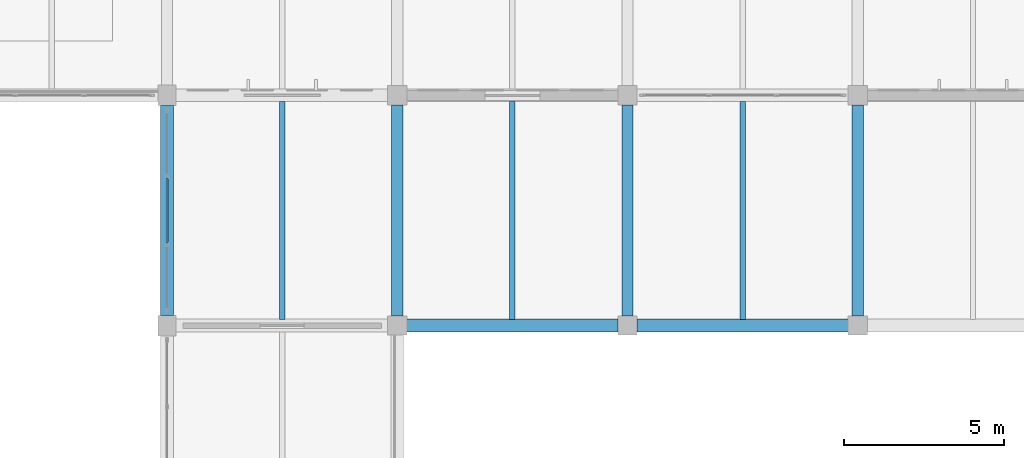
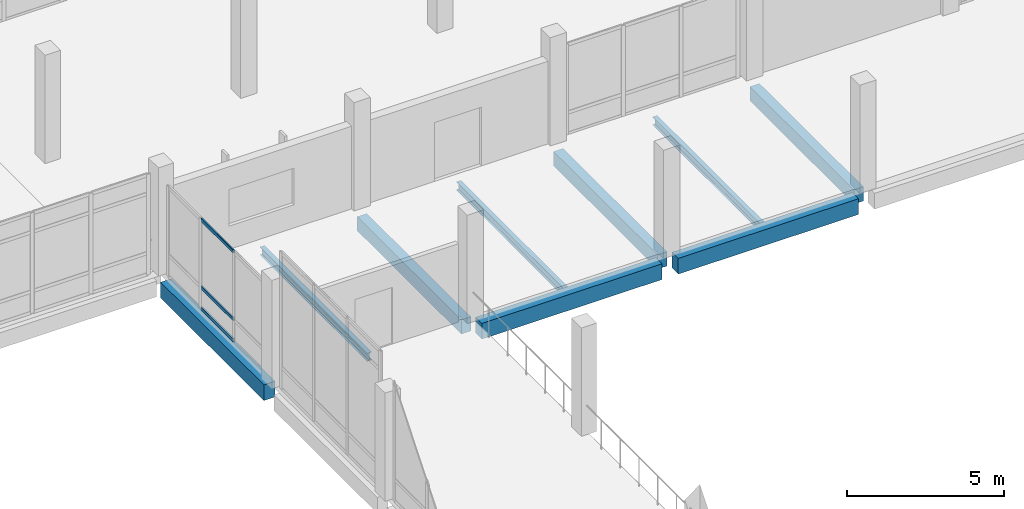
# One storey, part 99 of 158: 9 beams, 3 members, 1 element without a shape of its own.
"""IFC4 building model written with IfcOpenShell, lengths in metres."""

from ifc_helpers import new_model, si_unit, direction, frame, origin, origin_2d, place, context, subcontext, project, spatial, rectangle, hollow_rectangle, i_section, extrude, material, material_profile, profile_set, type_object, element, aggregate, save


model = new_model("IFC4")

# Units and contexts
model_context = context("Model", 3, precision=1e-05, world=origin(), true_north=direction((0.0, 1.0)))
body_context = subcontext(model_context, "Body", "Model", "MODEL_VIEW")
ifc_project = project(units=[si_unit("LENGTHUNIT", "METRE"), si_unit("AREAUNIT", "SQUARE_METRE"), si_unit("VOLUMEUNIT", "CUBIC_METRE"), si_unit("PLANEANGLEUNIT", "RADIAN"), si_unit("MASSUNIT", "GRAM", prefix="KILO")], contexts=[model_context])

# Site, building, storey
site_placement = place(None, origin())
site = spatial("IfcSite", under=ifc_project, at=site_placement, CompositionType="ELEMENT")
building_placement = place(site_placement, origin())
building = spatial("IfcBuilding", under=site, at=building_placement, Name="Lusvemor Sports Hall", CompositionType="ELEMENT")
storey_placement = place(building_placement, frame((0.0, 0.0, 10.800048828125)))
storey = spatial("IfcBuildingStorey", under=building, at=storey_placement, Name="L02", CompositionType="ELEMENT", Elevation=10.800048828125)

# Beams
ifc_material_1 = material(Name="Concrete C40/50", Category="concrete")
ifc_material_profile_1 = material_profile(ifc_material_1, rectangle(XDim=0.35009765625, YDim=0.550048828125, at=origin_2d()), Name="RC350x550")
ifc_profile_set_1 = profile_set([ifc_material_profile_1], Name="Concrete C40/50")
beam_type_1 = type_object("IfcBeamType", Name="BEAM_RC_550", PredefinedType="BEAM", material=ifc_profile_set_1)
for number, where, z_axis, x_axis, name in (
    (1, (140.39990234375, 75.89599609375, -0.53515625), (0.0, 1.0, 0.0), (-1.0, 0.0, 0.0), "Beam L02 16:K-L"),
    (2, (147.60009765625, 75.89599609375, -0.53515625), (0.0, 1.0, 0.0), (-1.0, 0.0, 0.0), "Beam L02 17:K-L"),
    (3, (154.800048828125, 75.89599609375, -0.53515625), (0.0, 1.0, 0.0), (-1.0, 0.0, 0.0), "Beam L02 18:K-L"),
):
    element("IfcBeam", number, at=place(storey_placement, frame(where, z_axis=z_axis, x_axis=x_axis)), inside=storey, type_object=beam_type_1, Name=name, PredefinedType="BEAM", context=body_context, shape_type="SweptSolid", body=[
        extrude(rectangle(XDim=0.35009765625, YDim=0.550048828125, at=origin_2d()), origin(), (0.0, 0.0, 1.0), 6.60791015625),
    ])

# Curtain wall, members
ifc_material_2 = material(Name="Thermally broken bronze-anodized aluminium", Category="aluminium")
curtain_wall_type = type_object("IfcCurtainWallType", Name="CW_PASSAGE_E", PredefinedType="NOTDEFINED", material=ifc_material_2)
curtain_wall_placement = place(storey_placement, origin())
curtain_wall = element("IfcCurtainWall", 4, at=curtain_wall_placement, inside=storey, type_object=curtain_wall_type, Name="Curtain Wall CW-NLINK-133-L02", PredefinedType="NOTDEFINED")
ifc_material_3 = material(Name="Thermally broken bronze-anodized aluminium", Category="aluminium")
ifc_material_profile_2 = material_profile(ifc_material_3, hollow_rectangle(XDim=0.06005859375, YDim=0.135009765625, WallThickness=0.00390625, InnerFilletRadius=0.00390625, OuterFilletRadius=0.008056640625, at=origin_2d()), Name="CWTRN135x60x4")
ifc_profile_set_2 = profile_set([ifc_material_profile_2], Name="Thermally broken bronze-anodized aluminium")
member_type = type_object("IfcMemberType", Name="CW_TRN_B", PredefinedType="USERDEFINED", material=ifc_profile_set_2)
member_1_placement = place(storey_placement, frame((133.199951171875, 78.17919921875, 0.030029296875), z_axis=(0.0, 1.0, 0.0), x_axis=(-1.0, 0.0, 0.0)))
member_1 = element("IfcMember", 5, at=member_1_placement, type_object=member_type, Name="CW05 transom 2.1", ObjectType="TRANSOM", PredefinedType="USERDEFINED", context=body_context, shape_type="SweptSolid", body=[
    extrude(hollow_rectangle(XDim=0.06005859375, YDim=0.135009765625, WallThickness=0.00390625, InnerFilletRadius=0.00390625, OuterFilletRadius=0.008056640625, at=origin_2d()), origin(), (0.0, 0.0, 1.0), 2.041748046875),
])
member_2_placement = place(storey_placement, frame((133.199951171875, 78.17919921875, 0.849853515625), z_axis=(0.0, 1.0, 0.0), x_axis=(-1.0, 0.0, 0.0)))
member_2 = element("IfcMember", 6, at=member_2_placement, type_object=member_type, Name="CW05 transom 2.2", ObjectType="TRANSOM", PredefinedType="USERDEFINED", context=body_context, shape_type="SweptSolid", body=[
    extrude(hollow_rectangle(XDim=0.06005859375, YDim=0.135009765625, WallThickness=0.00390625, InnerFilletRadius=0.00390625, OuterFilletRadius=0.008056640625, at=origin_2d()), origin(), (0.0, 0.0, 1.0), 2.041748046875),
])
member_3_placement = place(storey_placement, frame((133.199951171875, 78.17919921875, 3.469970703125), z_axis=(0.0, 1.0, 0.0), x_axis=(-1.0, 0.0, 0.0)))
member_3 = element("IfcMember", 7, at=member_3_placement, type_object=member_type, Name="CW05 transom 2.3", ObjectType="TRANSOM", PredefinedType="USERDEFINED", context=body_context, shape_type="SweptSolid", body=[
    extrude(hollow_rectangle(XDim=0.06005859375, YDim=0.135009765625, WallThickness=0.00390625, InnerFilletRadius=0.00390625, OuterFilletRadius=0.008056640625, at=origin_2d()), origin(), (0.0, 0.0, 1.0), 2.041748046875),
])
aggregate(curtain_wall, [member_1, member_2, member_3])

# Beams
ifc_material_4 = material(Name="Steel S355", Category="steel")
ifc_material_profile_3 = material_profile(ifc_material_4, i_section(OverallWidth=0.1669921875, OverallDepth=0.31689453125, WebThickness=0.007568359375, FlangeThickness=0.01318359375, FilletRadius=0.014892578125, at=origin_2d()), Name="W310x52.0")
ifc_profile_set_3 = profile_set([ifc_material_profile_3], Name="Steel S355")
beam_type_2 = type_object("IfcBeamType", Name="JOIST_ST_310M", PredefinedType="JOIST", material=ifc_profile_set_3)
for number, where, z_axis, x_axis, name in (
    (8, (136.800048828125, 75.7958984375, -0.422607421875), (0.0, 1.0, 0.0), (-1.0, 0.0, 0.0), "Secondary Joist L02 15-16/K-L #1"),
    (9, (144.0, 75.7958984375, -0.422607421875), (0.0, 1.0, 0.0), (-1.0, 0.0, 0.0), "Secondary Joist L02 16-17/K-L #1"),
    (10, (151.199951171875, 75.7958984375, -0.422607421875), (0.0, 1.0, 0.0), (-1.0, 0.0, 0.0), "Secondary Joist L02 17-18/K-L #1"),
):
    element("IfcBeam", number, at=place(storey_placement, frame(where, z_axis=z_axis, x_axis=x_axis)), inside=storey, type_object=beam_type_2, Name=name, PredefinedType="JOIST", context=body_context, shape_type="SweptSolid", body=[
        extrude(i_section(OverallWidth=0.1669921875, OverallDepth=0.31689453125, WebThickness=0.007568359375, FlangeThickness=0.01318359375, FilletRadius=0.014892578125, at=origin_2d()), origin(), (0.0, 0.0, 1.0), 6.80810546875),
    ])
ifc_material_5 = material(Name="Concrete C40/50", Category="concrete")
ifc_material_profile_4 = material_profile(ifc_material_5, rectangle(XDim=0.39990234375, YDim=0.610107421875, at=origin_2d()), Name="RC400x610")
ifc_profile_set_4 = profile_set([ifc_material_profile_4], Name="Concrete C40/50")
beam_type_3 = type_object("IfcBeamType", Name="SPAND_EXT_650", PredefinedType="SPANDREL", material=ifc_profile_set_4)
for number, where, z_axis, x_axis, name in (
    (11, (140.696044921875, 75.60009765625, -0.56494140625), (1.0, 0.0, 0.0), (0.0, 1.0, 0.0), "Beam L02 K:16-17"),
    (12, (147.89599609375, 75.60009765625, -0.56494140625), (1.0, 0.0, 0.0), (0.0, 1.0, 0.0), "Beam L02 K:17-18"),
):
    element("IfcBeam", number, at=place(storey_placement, frame(where, z_axis=z_axis, x_axis=x_axis)), inside=storey, type_object=beam_type_3, Name=name, PredefinedType="SPANDREL", context=body_context, shape_type="SweptSolid", body=[
        extrude(rectangle(XDim=0.39990234375, YDim=0.610107421875, at=origin_2d()), origin(), (0.0, 0.0, 1.0), 6.60791015625),
    ])
beam_placement = place(storey_placement, frame((133.199951171875, 75.916015625, -0.56494140625), z_axis=(0.0, 1.0, 0.0), x_axis=(-1.0, 0.0, 0.0)))
element("IfcBeam", 13, at=beam_placement, inside=storey, type_object=beam_type_3, Name="Beam L02 15:K-L", PredefinedType="SPANDREL", context=body_context, shape_type="SweptSolid", body=[
    extrude(rectangle(XDim=0.39990234375, YDim=0.610107421875, at=origin_2d()), origin(), (0.0, 0.0, 1.0), 6.56787109375),
])

save(model, "model.ifc")
